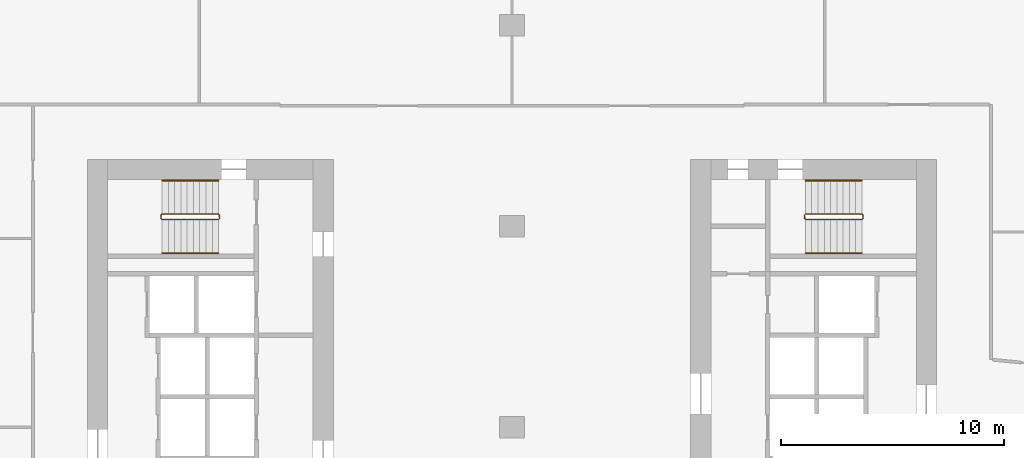
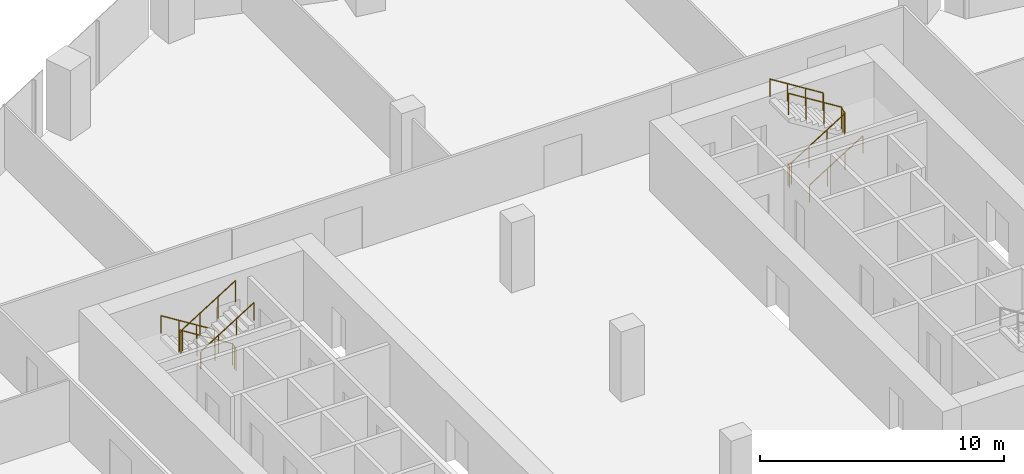
# One storey, part 34 of 34: 6 railings.
"""IFC4 building model written with IfcOpenShell, lengths in metres."""

from ifc_helpers import new_model, si_unit, direction, frame, origin, origin_2d, place, context, subcontext, project, spatial, circle, extrude, material, type_object, element, save


model = new_model("IFC4")

# Units and contexts
model_context = context("Model", 3, precision=1e-05, world=origin(), true_north=direction((0.0, 1.0)))
body_context = subcontext(model_context, "Body", "Model", "MODEL_VIEW")
ifc_project = project(units=[si_unit("LENGTHUNIT", "METRE"), si_unit("AREAUNIT", "SQUARE_METRE"), si_unit("VOLUMEUNIT", "CUBIC_METRE"), si_unit("PLANEANGLEUNIT", "RADIAN"), si_unit("MASSUNIT", "GRAM", prefix="KILO")], contexts=[model_context])

# Site, building, storey
site_placement = place(None, origin())
site = spatial("IfcSite", under=ifc_project, at=site_placement, CompositionType="ELEMENT")
building_placement = place(site_placement, origin())
building = spatial("IfcBuilding", under=site, at=building_placement, Name="Orlundy Tower", CompositionType="ELEMENT")
storey_placement = place(building_placement, frame((0.0, 0.0, 127.199951171875)))
storey = spatial("IfcBuildingStorey", under=building, at=storey_placement, Name="L32", CompositionType="ELEMENT", Elevation=127.199951171875)

# Railings
ifc_material_1 = material(Name="Steel balustrade", Category="steel")
railing_type_1 = type_object("IfcRailingType", Name="Stair Guard 1100", PredefinedType="GUARDRAIL", material=ifc_material_1)
railing_1_placement = place(storey_placement, frame((-13.090087890625, 9.5, 0.0)))
element("IfcRailing", 1, at=railing_1_placement, inside=storey, type_object=railing_type_1, Name="L32 ST-W1 stair guard 1", PredefinedType="GUARDRAIL", context=body_context, shape_type="SweptSolid", body=[
    extrude(circle(Radius=0.02392578125, at=origin_2d()), frame((0.0, 0.0, 1.076171875), z_axis=(0.0, -1.0, 0.0), x_axis=(1.0, 0.0, 0.0)), (0.0, 0.0, 1.0), 0.14990234375),
    extrude(circle(Radius=0.02392578125, at=origin_2d()), frame((0.0, -0.14990234375, 1.076171875), z_axis=(-0.18420542264, 0.739530593833, 0.647427882513), x_axis=(-0.970351222016, -0.241699205484, 0.0)), (0.0, 0.0, 1.0), 0.270263671875),
    extrude(circle(Radius=0.02392578125, at=origin_2d()), frame((-0.0498046875, 0.050048828125, 1.2509765625), z_axis=(-0.848007534815, 0.0, 0.529984170421), x_axis=(0.0, -1.0, 0.0)), (0.0, 0.0, 1.0), 2.9716796875),
    extrude(circle(Radius=0.02392578125, at=origin_2d()), frame((-2.56982421875, 0.050048828125, 2.826171875), z_axis=(-0.707106781187, -0.707106781187, 0.0), x_axis=(0.707106781187, -0.707106781187, 0.0)), (0.0, 0.0, 1.0), 0.07080078125),
    extrude(circle(Radius=0.02392578125, at=origin_2d()), frame((-2.619873046875, 0.0, 2.826171875), z_axis=(0.0, -1.0, 0.0), x_axis=(1.0, 0.0, 0.0)), (0.0, 0.0, 1.0), 0.14990234375),
    extrude(circle(Radius=0.02392578125, at=origin_2d()), frame((-2.619873046875, -0.14990234375, 2.826171875), z_axis=(0.265065253269, -0.265065253269, 0.927081885822), x_axis=(0.707106781187, 0.707106781187, 0.0)), (0.0, 0.0, 1.0), 0.188720703125),
    extrude(circle(Radius=0.02392578125, at=origin_2d()), frame((-2.56982421875, -0.199951171875, 3.0009765625), z_axis=(0.848007534815, 0.0, 0.529984170421), x_axis=(0.0, 1.0, 0.0)), (0.0, 0.0, 1.0), 2.9716796875),
    extrude(circle(Radius=0.02099609375, at=origin_2d()), origin(), (0.0, 0.0, 1.0), 1.052001953125),
    extrude(circle(Radius=0.02099609375, at=origin_2d()), frame((0.0, -0.14990234375, 0.0)), (0.0, 0.0, 1.0), 1.052001953125),
    extrude(circle(Radius=0.02099609375, at=origin_2d()), frame((-0.0498046875, 0.050048828125, 0.175048828125)), (0.0, 0.0, 1.0), 1.052001953125),
    extrude(circle(Radius=0.02099609375, at=origin_2d()), frame((-0.889892578125, 0.050048828125, 0.699951171875)), (0.0, 0.0, 1.0), 1.052001953125),
    extrude(circle(Radius=0.02099609375, at=origin_2d()), frame((-1.729736328125, 0.050048828125, 1.22509765625)), (0.0, 0.0, 1.0), 1.052001953125),
    extrude(circle(Radius=0.02099609375, at=origin_2d()), frame((-2.56982421875, 0.050048828125, 1.75)), (0.0, 0.0, 1.0), 1.052001953125),
    extrude(circle(Radius=0.02099609375, at=origin_2d()), frame((-2.619873046875, 0.0, 1.75)), (0.0, 0.0, 1.0), 1.052001953125),
    extrude(circle(Radius=0.02099609375, at=origin_2d()), frame((-2.619873046875, -0.14990234375, 1.75)), (0.0, 0.0, 1.0), 1.052001953125),
    extrude(circle(Radius=0.02099609375, at=origin_2d()), frame((-2.56982421875, -0.199951171875, 1.925048828125)), (0.0, 0.0, 1.0), 1.052001953125),
    extrude(circle(Radius=0.02099609375, at=origin_2d()), frame((-1.729736328125, -0.199951171875, 2.449951171875)), (0.0, 0.0, 1.0), 1.052001953125),
    extrude(circle(Radius=0.02099609375, at=origin_2d()), frame((-0.889892578125, -0.199951171875, 2.97509765625)), (0.0, 0.0, 1.0), 1.052001953125),
    extrude(circle(Radius=0.02099609375, at=origin_2d()), frame((-0.0498046875, -0.199951171875, 3.5)), (0.0, 0.0, 1.0), 1.052001953125),
])
railing_2_placement = place(storey_placement, frame((13.090087890625, 9.35009765625, 0.0)))
element("IfcRailing", 2, at=railing_2_placement, inside=storey, type_object=railing_type_1, Name="L32 ST-E2 stair guard 1", PredefinedType="GUARDRAIL", context=body_context, shape_type="SweptSolid", body=[
    extrude(circle(Radius=0.02392578125, at=origin_2d()), frame((0.0, 0.0, 1.076171875), z_axis=(0.0, 1.0, 0.0), x_axis=(-1.0, 0.0, 0.0)), (0.0, 0.0, 1.0), 0.14990234375),
    extrude(circle(Radius=0.02392578125, at=origin_2d()), frame((0.0, 0.14990234375, 1.076171875), z_axis=(0.18420542264, -0.739530593833, 0.647427882513), x_axis=(0.970351222016, 0.241699205484, 0.0)), (0.0, 0.0, 1.0), 0.270263671875),
    extrude(circle(Radius=0.02392578125, at=origin_2d()), frame((0.0498046875, -0.050048828125, 1.2509765625), z_axis=(0.848007534815, 0.0, 0.529984170421), x_axis=(0.0, 1.0, 0.0)), (0.0, 0.0, 1.0), 2.9716796875),
    extrude(circle(Radius=0.02392578125, at=origin_2d()), frame((2.56982421875, -0.050048828125, 2.826171875), z_axis=(0.707106781187, 0.707106781187, 0.0), x_axis=(-0.707106781187, 0.707106781187, 0.0)), (0.0, 0.0, 1.0), 0.07080078125),
    extrude(circle(Radius=0.02392578125, at=origin_2d()), frame((2.619873046875, 0.0, 2.826171875), z_axis=(0.0, 1.0, 0.0), x_axis=(-1.0, 0.0, 0.0)), (0.0, 0.0, 1.0), 0.14990234375),
    extrude(circle(Radius=0.02392578125, at=origin_2d()), frame((2.619873046875, 0.14990234375, 2.826171875), z_axis=(-0.265065253269, 0.265065253269, 0.927081885822), x_axis=(-0.707106781187, -0.707106781187, 0.0)), (0.0, 0.0, 1.0), 0.188720703125),
    extrude(circle(Radius=0.02392578125, at=origin_2d()), frame((2.56982421875, 0.199951171875, 3.0009765625), z_axis=(-0.848007534815, 0.0, 0.529984170421), x_axis=(0.0, -1.0, 0.0)), (0.0, 0.0, 1.0), 2.9716796875),
    extrude(circle(Radius=0.02099609375, at=origin_2d()), origin(), (0.0, 0.0, 1.0), 1.052001953125),
    extrude(circle(Radius=0.02099609375, at=origin_2d()), frame((0.0, 0.14990234375, 0.0)), (0.0, 0.0, 1.0), 1.052001953125),
    extrude(circle(Radius=0.02099609375, at=origin_2d()), frame((0.0498046875, -0.050048828125, 0.175048828125)), (0.0, 0.0, 1.0), 1.052001953125),
    extrude(circle(Radius=0.02099609375, at=origin_2d()), frame((0.889892578125, -0.050048828125, 0.699951171875)), (0.0, 0.0, 1.0), 1.052001953125),
    extrude(circle(Radius=0.02099609375, at=origin_2d()), frame((1.729736328125, -0.050048828125, 1.22509765625)), (0.0, 0.0, 1.0), 1.052001953125),
    extrude(circle(Radius=0.02099609375, at=origin_2d()), frame((2.56982421875, -0.050048828125, 1.75)), (0.0, 0.0, 1.0), 1.052001953125),
    extrude(circle(Radius=0.02099609375, at=origin_2d()), frame((2.619873046875, 0.0, 1.75)), (0.0, 0.0, 1.0), 1.052001953125),
    extrude(circle(Radius=0.02099609375, at=origin_2d()), frame((2.619873046875, 0.14990234375, 1.75)), (0.0, 0.0, 1.0), 1.052001953125),
    extrude(circle(Radius=0.02099609375, at=origin_2d()), frame((2.56982421875, 0.199951171875, 1.925048828125)), (0.0, 0.0, 1.0), 1.052001953125),
    extrude(circle(Radius=0.02099609375, at=origin_2d()), frame((1.729736328125, 0.199951171875, 2.449951171875)), (0.0, 0.0, 1.0), 1.052001953125),
    extrude(circle(Radius=0.02099609375, at=origin_2d()), frame((0.889892578125, 0.199951171875, 2.97509765625)), (0.0, 0.0, 1.0), 1.052001953125),
    extrude(circle(Radius=0.02099609375, at=origin_2d()), frame((0.0498046875, 0.199951171875, 3.5)), (0.0, 0.0, 1.0), 1.052001953125),
])
ifc_material_2 = material(Name="Steel handrail", Category="steel")
railing_type_2 = type_object("IfcRailingType", Name="Stair Handrail 900", PredefinedType="HANDRAIL", material=ifc_material_2)
railing_3_placement = place(storey_placement, frame((-13.139892578125, 11.050048828125, 0.175048828125)))
element("IfcRailing", 3, at=railing_3_placement, inside=storey, type_object=railing_type_2, Name="L32 ST-W1 stair handrail 1", PredefinedType="HANDRAIL", context=body_context, shape_type="SweptSolid", body=[
    extrude(circle(Radius=0.02392578125, at=origin_2d()), frame((0.0, 0.0, 0.8759765625), z_axis=(-0.848007534815, 0.0, 0.529984170421), x_axis=(0.0, -1.0, 0.0)), (0.0, 0.0, 1.0), 2.9716796875),
    extrude(circle(Radius=0.02099609375, at=origin_2d()), origin(), (0.0, 0.0, 1.0), 0.851806640625),
    extrude(circle(Radius=0.02099609375, at=origin_2d()), frame((-0.840087890625, 0.0, 0.52490234375)), (0.0, 0.0, 1.0), 0.851806640625),
    extrude(circle(Radius=0.02099609375, at=origin_2d()), frame((-1.679931640625, 0.0, 1.050048828125)), (0.0, 0.0, 1.0), 0.851806640625),
    extrude(circle(Radius=0.02099609375, at=origin_2d()), frame((-2.52001953125, 0.0, 1.574951171875)), (0.0, 0.0, 1.0), 0.851806640625),
])
for number, where, name in (
    (4, (-15.659912109375, 7.800048828125, 1.925048828125), "L32 ST-W1 stair handrail 2"),
    (5, (13.139892578125, 7.800048828125, 0.175048828125), "L32 ST-E2 stair handrail 1"),
):
    element("IfcRailing", number, at=place(storey_placement, frame(where)), inside=storey, type_object=railing_type_2, Name=name, PredefinedType="HANDRAIL", context=body_context, shape_type="SweptSolid", body=[
        extrude(circle(Radius=0.02392578125, at=origin_2d()), frame((0.0, 0.0, 0.8759765625), z_axis=(0.848007534815, 0.0, 0.529984170421), x_axis=(0.0, 1.0, 0.0)), (0.0, 0.0, 1.0), 2.9716796875),
        extrude(circle(Radius=0.02099609375, at=origin_2d()), origin(), (0.0, 0.0, 1.0), 0.851806640625),
        extrude(circle(Radius=0.02099609375, at=origin_2d()), frame((0.840087890625, 0.0, 0.52490234375)), (0.0, 0.0, 1.0), 0.851806640625),
        extrude(circle(Radius=0.02099609375, at=origin_2d()), frame((1.679931640625, 0.0, 1.050048828125)), (0.0, 0.0, 1.0), 0.851806640625),
        extrude(circle(Radius=0.02099609375, at=origin_2d()), frame((2.52001953125, 0.0, 1.574951171875)), (0.0, 0.0, 1.0), 0.851806640625),
    ])
railing_4_placement = place(storey_placement, frame((15.659912109375, 11.050048828125, 1.925048828125)))
element("IfcRailing", 6, at=railing_4_placement, inside=storey, type_object=railing_type_2, Name="L32 ST-E2 stair handrail 2", PredefinedType="HANDRAIL", context=body_context, shape_type="SweptSolid", body=[
    extrude(circle(Radius=0.02392578125, at=origin_2d()), frame((0.0, 0.0, 0.8759765625), z_axis=(-0.848007534815, 0.0, 0.529984170421), x_axis=(0.0, -1.0, 0.0)), (0.0, 0.0, 1.0), 2.9716796875),
    extrude(circle(Radius=0.02099609375, at=origin_2d()), origin(), (0.0, 0.0, 1.0), 0.851806640625),
    extrude(circle(Radius=0.02099609375, at=origin_2d()), frame((-0.840087890625, 0.0, 0.52490234375)), (0.0, 0.0, 1.0), 0.851806640625),
    extrude(circle(Radius=0.02099609375, at=origin_2d()), frame((-1.679931640625, 0.0, 1.050048828125)), (0.0, 0.0, 1.0), 0.851806640625),
    extrude(circle(Radius=0.02099609375, at=origin_2d()), frame((-2.52001953125, 0.0, 1.574951171875)), (0.0, 0.0, 1.0), 0.851806640625),
])

save(model, "model.ifc")
